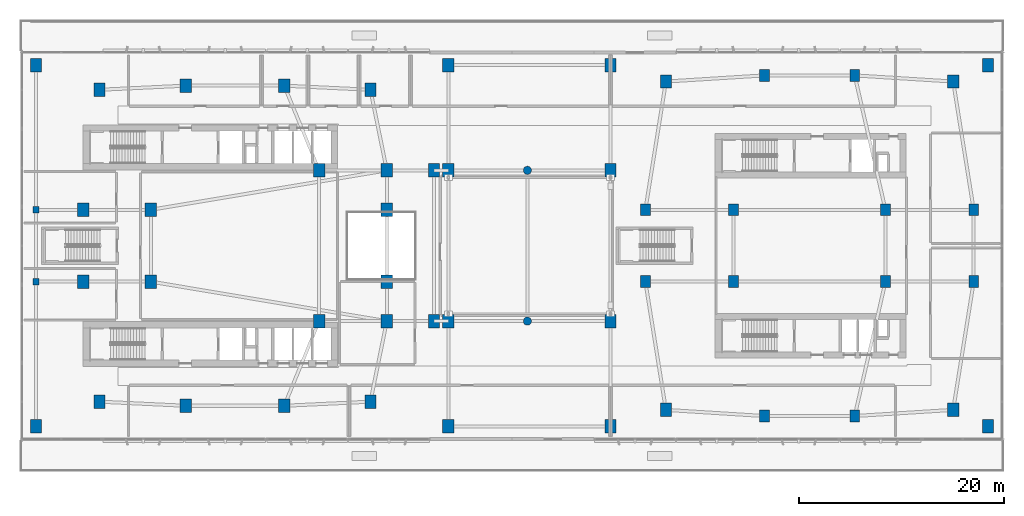
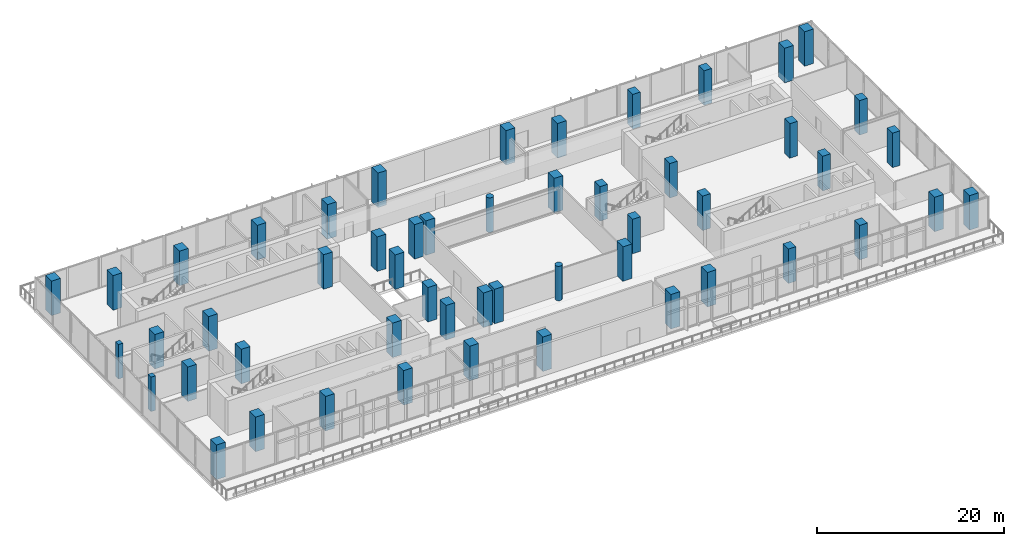
# One storey, part 1 of 31: 52 columns.
"""IFC4 building model written with IfcOpenShell, lengths in metres."""

from ifc_helpers import new_model, si_unit, derived_unit, direction, frame, origin, origin_2d, place, context, subcontext, project, spatial, rectangle, circle, extrude, material, material_profile, profile_set, type_object, element, save


model = new_model("IFC4")

# Units and contexts
model_context = context("Model", 3, precision=1e-05, world=origin(), true_north=direction((0.0, 1.0)))
body_context = subcontext(model_context, "Body", "Model", "MODEL_VIEW")
ifc_project = project(units=[si_unit("LENGTHUNIT", "METRE"), si_unit("AREAUNIT", "SQUARE_METRE"), si_unit("VOLUMEUNIT", "CUBIC_METRE"), si_unit("PLANEANGLEUNIT", "RADIAN"), si_unit("MASSUNIT", "GRAM", prefix="KILO"), derived_unit("THERMALTRANSMITTANCEUNIT", [(si_unit("POWERUNIT", "WATT"), 1), (si_unit("LENGTHUNIT", "METRE"), -2), (si_unit("THERMODYNAMICTEMPERATUREUNIT", "KELVIN"), -1)])], contexts=[model_context])

# Site, building, storey
site_placement = place(None, origin())
site = spatial("IfcSite", under=ifc_project, at=site_placement, CompositionType="ELEMENT")
building_placement = place(site_placement, origin())
building = spatial("IfcBuilding", under=site, at=building_placement, Name="Kivonza Crest Hotel", CompositionType="ELEMENT")
storey_placement = place(building_placement, frame((0.0, 0.0, 15.0)))
storey = spatial("IfcBuildingStorey", under=building, at=storey_placement, Name="L03", CompositionType="ELEMENT", Elevation=15.0)

# Columns
ifc_material_1 = material(Name="Concrete C60/75", Category="concrete")
ifc_material_profile_1 = material_profile(ifc_material_1, rectangle(XDim=0.550048828125, YDim=0.64990234375, at=origin_2d()), Name="RC 650x550")
ifc_profile_set_1 = profile_set([ifc_material_profile_1], Name="Concrete C60/75")
column_type_1 = type_object("IfcColumnType", Name="CL-PIL-650x550", PredefinedType="PILASTER", material=ifc_profile_set_1)
for number, where, z_axis, x_axis, name in (
    (1, (1.60009765625, 21.5, 0.0), (0.0, 0.0, 1.0), (1.0, 0.0, 0.0), "Tower T1 L03 column Z1W1"),
    (2, (1.60009765625, 28.5, 0.0), (0.0, 0.0, 1.0), (1.0, 0.0, 0.0), "Tower T1 L03 column Z1W2"),
):
    element("IfcColumn", number, at=place(storey_placement, frame(where, z_axis=z_axis, x_axis=x_axis)), inside=storey, type_object=column_type_1, Name=name, PredefinedType="PILASTER", context=body_context, shape_type="SweptSolid", body=[
        extrude(rectangle(XDim=0.550048828125, YDim=0.64990234375, at=origin_2d()), origin(), (0.0, 0.0, 1.0), 4.5),
    ])
ifc_material_profile_2 = material_profile(ifc_material_1, rectangle(XDim=0.949951171875, YDim=1.14990234375, at=origin_2d()), Name="RC 1150x950")
ifc_profile_set_2 = profile_set([ifc_material_profile_2], Name="Concrete C60/75")
column_type_2 = type_object("IfcColumnType", Name="CL-RC-1150x950", PredefinedType="COLUMN", material=ifc_profile_set_2)
for number, where, z_axis, x_axis, name in (
    (3, (72.60009765625, 8.39990234375, 0.0), (0.0, 0.0, 1.0), (1.0, 0.0, 0.0), "Companion Tower T2 L03 column S1"),
    (4, (81.39990234375, 8.39990234375, 0.0), (0.0, 0.0, 1.0), (1.0, 0.0, 0.0), "Companion Tower T2 L03 column S2"),
    (5, (72.60009765625, 41.60009765625, 0.0), (0.0, 0.0, 1.0), (1.0, 0.0, 0.0), "Companion Tower T2 L03 column N1"),
    (6, (81.39990234375, 41.60009765625, 0.0), (0.0, 0.0, 1.0), (1.0, 0.0, 0.0), "Companion Tower T2 L03 column N2"),
    (7, (61.0, 21.5, 0.0), (0.0, 0.0, 1.0), (1.0, 0.0, 0.0), "Companion Tower T2 L03 column W1"),
    (8, (61.0, 28.5, 0.0), (0.0, 0.0, 1.0), (1.0, 0.0, 0.0), "Companion Tower T2 L03 column W2"),
    (9, (93.0, 21.5, 0.0), (0.0, 0.0, 1.0), (1.0, 0.0, 0.0), "Companion Tower T2 L03 column E1"),
    (10, (93.0, 28.5, 0.0), (0.0, 0.0, 1.0), (1.0, 0.0, 0.0), "Companion Tower T2 L03 column E2"),
    (11, (69.60009765625, 21.5, 0.0), (0.0, 0.0, 1.0), (1.0, 0.0, 0.0), "Companion Tower T2 L03 column WL1"),
    (12, (69.60009765625, 28.5, 0.0), (0.0, 0.0, 1.0), (1.0, 0.0, 0.0), "Companion Tower T2 L03 column WL2"),
    (13, (84.39990234375, 21.5, 0.0), (0.0, 0.0, 1.0), (1.0, 0.0, 0.0), "Companion Tower T2 L03 column WR1"),
    (14, (84.39990234375, 28.5, 0.0), (0.0, 0.0, 1.0), (1.0, 0.0, 0.0), "Companion Tower T2 L03 column WR2"),
):
    element("IfcColumn", number, at=place(storey_placement, frame(where, z_axis=z_axis, x_axis=x_axis)), inside=storey, type_object=column_type_2, Name=name, PredefinedType="COLUMN", context=body_context, shape_type="SweptSolid", body=[
        extrude(rectangle(XDim=0.949951171875, YDim=1.14990234375, at=origin_2d()), origin(), (0.0, 0.0, 1.0), 4.5),
    ])
ifc_material_profile_3 = material_profile(ifc_material_1, rectangle(XDim=1.10009765625, YDim=1.300048828125, at=origin_2d()), Name="RC 1300x1100")
ifc_profile_set_3 = profile_set([ifc_material_profile_3], Name="Concrete C60/75")
column_type_3 = type_object("IfcColumnType", Name="CL-RC-1300x1100", PredefinedType="COLUMN", material=ifc_profile_set_3)
for number, where, z_axis, x_axis, name in (
    (15, (16.199951171875, 9.39990234375, 0.0), (0.0, 0.0, 1.0), (1.0, 0.0, 0.0), "Tower T1 L03 column S1"),
    (16, (25.800048828125, 9.39990234375, 0.0), (0.0, 0.0, 1.0), (1.0, 0.0, 0.0), "Tower T1 L03 column S2"),
    (17, (16.199951171875, 40.60009765625, 0.0), (0.0, 0.0, 1.0), (1.0, 0.0, 0.0), "Tower T1 L03 column N1"),
    (18, (25.800048828125, 40.60009765625, 0.0), (0.0, 0.0, 1.0), (1.0, 0.0, 0.0), "Tower T1 L03 column N2"),
    (19, (6.199951171875, 21.5, 0.0), (0.0, 0.0, 1.0), (1.0, 0.0, 0.0), "Tower T1 L03 column W1"),
    (20, (6.199951171875, 28.5, 0.0), (0.0, 0.0, 1.0), (1.0, 0.0, 0.0), "Tower T1 L03 column W2"),
    (21, (7.800048828125, 9.800048828125, 0.0), (0.0, 0.0, 1.0), (1.0, 0.0, 0.0), "Tower T1 L03 column SW"),
    (22, (34.199951171875, 9.800048828125, 0.0), (0.0, 0.0, 1.0), (1.0, 0.0, 0.0), "Tower T1 L03 column SE"),
    (23, (34.199951171875, 40.199951171875, 0.0), (0.0, 0.0, 1.0), (1.0, 0.0, 0.0), "Tower T1 L03 column NE"),
    (24, (7.800048828125, 40.199951171875, 0.0), (0.0, 0.0, 1.0), (1.0, 0.0, 0.0), "Tower T1 L03 column NW"),
    (25, (35.800048828125, 21.5, 0.0), (0.0, 0.0, 1.0), (1.0, 0.0, 0.0), "Tower T1 L03 column E1"),
    (26, (35.800048828125, 28.5, 0.0), (0.0, 0.0, 1.0), (1.0, 0.0, 0.0), "Tower T1 L03 column E2"),
    (27, (35.800048828125, 17.64990234375, 0.0), (0.0, 0.0, 1.0), (1.0, 0.0, 0.0), "Tower T1 L03 column PSE"),
    (28, (35.800048828125, 32.35009765625, 0.0), (0.0, 0.0, 1.0), (1.0, 0.0, 0.0), "Tower T1 L03 column PNE"),
    (29, (12.800048828125, 21.5, 0.0), (0.0, 0.0, 1.0), (1.0, 0.0, 0.0), "Tower T1 L03 column WL1"),
    (30, (12.800048828125, 28.5, 0.0), (0.0, 0.0, 1.0), (1.0, 0.0, 0.0), "Tower T1 L03 column WL2"),
    (31, (29.199951171875, 17.64990234375, 0.0), (0.0, 0.0, 1.0), (1.0, 0.0, 0.0), "Tower T1 L03 column TSE"),
    (32, (29.199951171875, 32.35009765625, 0.0), (0.0, 0.0, 1.0), (1.0, 0.0, 0.0), "Tower T1 L03 column TNE"),
    (33, (40.39990234375, 17.64990234375, 0.0), (0.0, 0.0, 1.0), (1.0, 0.0, 0.0), "Tower T1 L03 column Z1E1"),
    (34, (40.39990234375, 32.35009765625, 0.0), (0.0, 0.0, 1.0), (1.0, 0.0, 0.0), "Tower T1 L03 column Z1E2"),
    (35, (63.0, 9.0, 0.0), (0.0, 0.0, 1.0), (1.0, 0.0, 0.0), "Companion Tower T2 L03 column SW"),
    (36, (91.0, 9.0, 0.0), (0.0, 0.0, 1.0), (1.0, 0.0, 0.0), "Companion Tower T2 L03 column SE"),
    (37, (91.0, 41.0, 0.0), (0.0, 0.0, 1.0), (1.0, 0.0, 0.0), "Companion Tower T2 L03 column NE"),
    (38, (63.0, 41.0, 0.0), (0.0, 0.0, 1.0), (1.0, 0.0, 0.0), "Companion Tower T2 L03 column NW"),
    (39, (41.800048828125, 17.64990234375, 0.0), (0.0, 0.0, 1.0), (1.0, 0.0, 0.0), "Podium L03 column LK1S"),
    (40, (41.800048828125, 32.35009765625, 0.0), (0.0, 0.0, 1.0), (1.0, 0.0, 0.0), "Podium L03 column LK1N"),
    (41, (57.60009765625, 17.64990234375, 0.0), (0.0, 0.0, 1.0), (1.0, 0.0, 0.0), "Podium L03 column LK3S"),
    (42, (57.60009765625, 32.35009765625, 0.0), (0.0, 0.0, 1.0), (1.0, 0.0, 0.0), "Podium L03 column LK3N"),
    (43, (1.60009765625, 7.39990234375, 0.0), (0.0, 0.0, 1.0), (1.0, 0.0, 0.0), "Podium L03 column PS41"),
    (44, (1.60009765625, 42.60009765625, 0.0), (0.0, 0.0, 1.0), (1.0, 0.0, 0.0), "Podium L03 column PN41"),
    (45, (41.800048828125, 7.39990234375, 0.0), (0.0, 0.0, 1.0), (1.0, 0.0, 0.0), "Podium L03 column PS42"),
    (46, (41.800048828125, 42.60009765625, 0.0), (0.0, 0.0, 1.0), (1.0, 0.0, 0.0), "Podium L03 column PN42"),
    (47, (57.60009765625, 7.39990234375, 0.0), (0.0, 0.0, 1.0), (1.0, 0.0, 0.0), "Podium L03 column PS43"),
    (48, (57.60009765625, 42.60009765625, 0.0), (0.0, 0.0, 1.0), (1.0, 0.0, 0.0), "Podium L03 column PN43"),
    (49, (94.39990234375, 7.39990234375, 0.0), (0.0, 0.0, 1.0), (1.0, 0.0, 0.0), "Podium L03 column PS44"),
    (50, (94.39990234375, 42.60009765625, 0.0), (0.0, 0.0, 1.0), (1.0, 0.0, 0.0), "Podium L03 column PN44"),
):
    element("IfcColumn", number, at=place(storey_placement, frame(where, z_axis=z_axis, x_axis=x_axis)), inside=storey, type_object=column_type_3, Name=name, PredefinedType="COLUMN", context=body_context, shape_type="SweptSolid", body=[
        extrude(rectangle(XDim=1.10009765625, YDim=1.300048828125, at=origin_2d()), origin(), (0.0, 0.0, 1.0), 4.5),
    ])
ifc_material_2 = material(Name="Concrete C50/60", Category="concrete")
ifc_material_profile_4 = material_profile(ifc_material_2, circle(Radius=0.39990234375, at=origin_2d()), Name="RC D800")
ifc_profile_set_4 = profile_set([ifc_material_profile_4], Name="Concrete C50/60")
column_type_4 = type_object("IfcColumnType", Name="CL-RC-D800", PredefinedType="COLUMN", material=ifc_profile_set_4)
for number, where, z_axis, x_axis, name in (
    (51, (49.5, 17.64990234375, 0.0), (0.0, 0.0, 1.0), (1.0, 0.0, 0.0), "Podium L03 column LK2S"),
    (52, (49.5, 32.35009765625, 0.0), (0.0, 0.0, 1.0), (1.0, 0.0, 0.0), "Podium L03 column LK2N"),
):
    element("IfcColumn", number, at=place(storey_placement, frame(where, z_axis=z_axis, x_axis=x_axis)), inside=storey, type_object=column_type_4, Name=name, PredefinedType="COLUMN", context=body_context, shape_type="SweptSolid", body=[
        extrude(circle(Radius=0.39990234375, at=origin_2d()), origin(), (0.0, 0.0, 1.0), 4.5),
    ])

save(model, "model.ifc")
